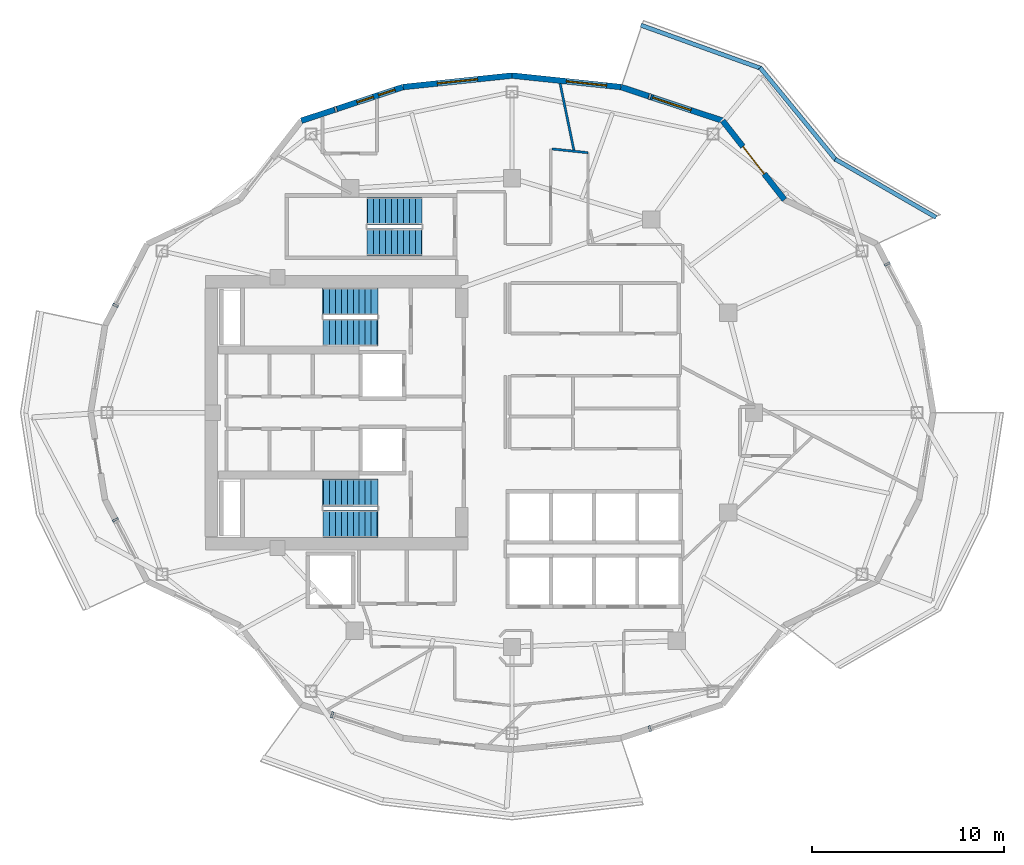
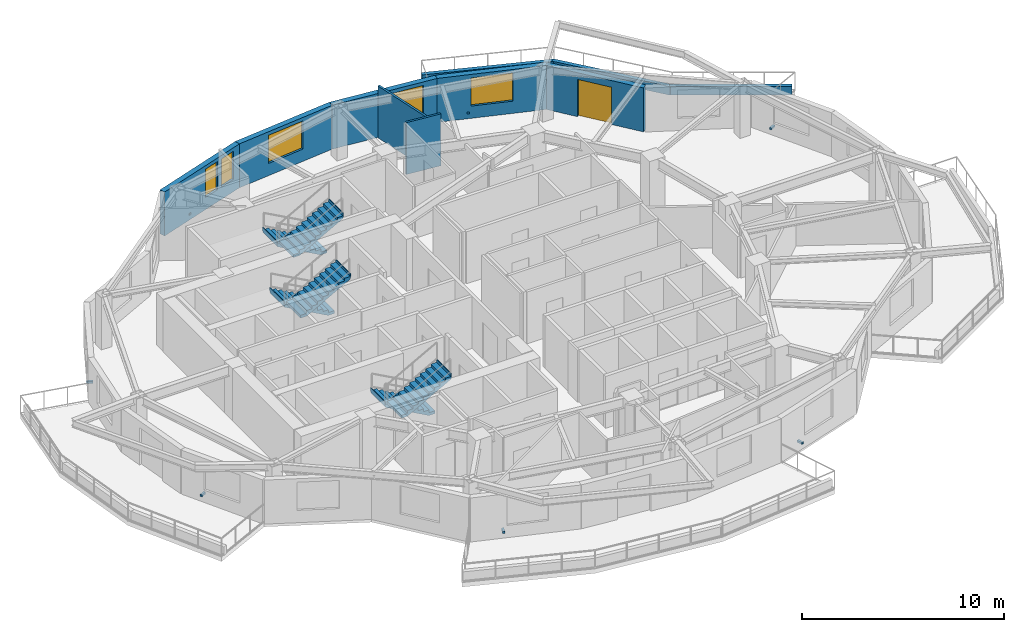
# One storey, part 7 of 11: 10 walls, 7 discrete accessories, 6 stair flights, 5 windows, 1 door, 6 openings, 3 elements without a shape of their own.
"""IFC4 building model written with IfcOpenShell, lengths in metres."""

from ifc_helpers import new_model, si_unit, direction, frame, frame_2d, origin, origin_2d, place, context, subcontext, project, spatial, polyline, rectangle, outline, extrude, material, layer, layer_set, type_object, element, fill, aggregate, save


model = new_model("IFC4")

# Units and contexts
model_context = context("Model", 3, precision=1e-05, world=origin(), true_north=direction((0.0, 1.0)))
body_context = subcontext(model_context, "Body", "Model", "MODEL_VIEW")
ifc_project = project(units=[si_unit("LENGTHUNIT", "METRE"), si_unit("AREAUNIT", "SQUARE_METRE"), si_unit("VOLUMEUNIT", "CUBIC_METRE"), si_unit("PLANEANGLEUNIT", "RADIAN"), si_unit("MASSUNIT", "GRAM", prefix="KILO")], contexts=[model_context])

# Site, building, storey
site_placement = place(None, origin())
site = spatial("IfcSite", under=ifc_project, at=site_placement, CompositionType="ELEMENT")
building_placement = place(site_placement, origin())
building = spatial("IfcBuilding", under=site, at=building_placement, Name="Kolvaren Gate Tower and Convention Centre", CompositionType="ELEMENT")
storey_placement = place(building_placement, frame((0.0, 0.0, 159.699951171875)))
storey = spatial("IfcBuildingStorey", under=building, at=storey_placement, Name="L41", CompositionType="ELEMENT", Elevation=159.699951171875)

# Walls
ifc_material_1 = material(Name="Fire-Rated Acoustic Gypsum Stud Partition", Category="gypsum")
ifc_layer_1 = layer(ifc_material_1, 0.1201171875)
ifc_layer_set_1 = layer_set([ifc_layer_1], Name="Fire-Rated Acoustic Gypsum Stud Partition")
wall_type_1 = type_object("IfcWallType", Name="ARCH-WL-PART-120", PredefinedType="PARTITIONING", material=ifc_layer_set_1)
wall_1_placement = place(storey_placement, frame((32.2119140625, 40.73046875, 0.0), z_axis=(0.0, 0.0, 1.0), x_axis=(0.994511860417, -0.104623895405, 0.0)))
element("IfcWall", 1, at=wall_1_placement, inside=storey, type_object=wall_type_1, Name="Interior Partition WL-L41-INT-047", PredefinedType="PARTITIONING", context=body_context, shape_type="SweptSolid", body=[
    extrude(rectangle(XDim=1.87841796875, YDim=0.1201171875, at=frame_2d((0.939208984375, 0.0))), origin(), (0.0, 0.0, 1.0), 3.130126953125),
])
wall_2_placement = place(storey_placement, frame((32.63134765625, 44.13330078125, 0.0), z_axis=(0.0, 0.0, 1.0), x_axis=(0.202079954577, -0.979369027465, 0.0)))
element("IfcWall", 2, at=wall_2_placement, inside=storey, type_object=wall_type_1, Name="Interior Partition WL-L41-INT-065", PredefinedType="PARTITIONING", context=body_context, shape_type="SweptSolid", body=[
    extrude(rectangle(XDim=3.53271484375, YDim=0.1201171875, at=frame_2d((1.766357421875, 0.0))), origin(), (0.0, 0.0, 1.0), 3.130126953125),
])
ifc_material_2 = material(Name="Piedmont Cream Honed Limestone Cladding", Category="masonry")
ifc_layer_2 = layer(ifc_material_2, 0.219970703125)
ifc_layer_set_2 = layer_set([ifc_layer_2], Name="Piedmont Cream Honed Limestone Cladding")
wall_type_2 = type_object("IfcWallType", Name="ARCH-WL-PLANTER-220", PredefinedType="PARAPET", material=ifc_layer_set_2)
wall_3_placement = place(storey_placement, frame((46.95751953125, 40.1953125, 0.0), z_axis=(0.0, 0.0, 1.0), x_axis=(0.866058128659, -0.499943314571, 0.0)))
element("IfcWall", 3, at=wall_3_placement, inside=storey, type_object=wall_type_2, Name="Vertical-Forest Balcony Stone Planter Kerb PK-L41-1.1", PredefinedType="PARAPET", context=body_context, shape_type="SweptSolid", body=[
    extrude(rectangle(XDim=6.060302734375, YDim=0.219970703125, at=frame_2d((3.0302734375, 0.0))), origin(), (0.0, 0.0, 1.0), 0.52001953125),
])
wall_4_placement = place(storey_placement, frame((43.0419921875, 44.96435546875, 0.0), z_axis=(0.0, 0.0, 1.0), x_axis=(0.634429234628, -0.77298094818, 0.0)))
element("IfcWall", 4, at=wall_4_placement, inside=storey, type_object=wall_type_2, Name="Vertical-Forest Balcony Stone Planter Kerb PK-L41-1.2", PredefinedType="PARAPET", context=body_context, shape_type="SweptSolid", body=[
    extrude(rectangle(XDim=6.244873046875, YDim=0.219970703125, at=frame_2d((3.12255859375, 0.0))), origin(), (0.0, 0.0, 1.0), 0.52001953125),
])
wall_5_placement = place(storey_placement, frame((36.836669921875, 47.173828125, 0.0), z_axis=(0.0, 0.0, 1.0), x_axis=(0.940948576924, -0.338549517184, 0.0)))
element("IfcWall", 5, at=wall_5_placement, inside=storey, type_object=wall_type_2, Name="Vertical-Forest Balcony Stone Planter Kerb PK-L41-1.3", PredefinedType="PARAPET", context=body_context, shape_type="SweptSolid", body=[
    extrude(rectangle(XDim=6.6640625, YDim=0.219970703125, at=frame_2d((3.33203125, 0.0))), origin(), (0.0, 0.0, 1.0), 0.52001953125),
])

# Wall, opening, door
ifc_layer_3 = layer(ifc_material_2, 0.300048828125)
ifc_layer_set_3 = layer_set([ifc_layer_3], Name="Piedmont Cream Honed Limestone Cladding")
wall_type_3 = type_object("IfcWallType", Name="ARCH-WL-STONE-300", PredefinedType="SOLIDWALL", material=ifc_layer_set_3)
wall_6_placement = place(storey_placement, frame((41.09375, 42.19873046875, 0.0), z_axis=(0.0, 0.0, 1.0), x_axis=(0.616429245738, -0.787410302828, 0.0)))
wall_6 = element("IfcWall", 6, at=wall_6_placement, inside=storey, type_object=wall_type_3, Name="Tower L41 Honed Stone Spandrel Wall EW-03", PredefinedType="SOLIDWALL", context=body_context, shape_type="SweptSolid", body=[
    extrude(rectangle(XDim=5.22314453125, YDim=0.300048828125, at=frame_2d((2.611572265625, 0.0))), origin(), (0.0, 0.0, 1.0), 2.653076171875),
])
opening_1_placement = place(wall_6_placement, frame((1.7119140625, 0.0, 0.0)))
opening_1 = element("IfcOpeningElement", 7, at=opening_1_placement, cuts=wall_6, Name="Opening DB-01", PredefinedType="OPENING", context=body_context, shape_type="SweptSolid", body=[
    extrude(rectangle(XDim=1.800048828125, YDim=2.25, at=frame_2d((0.89990234375, 1.125))), frame((0.0, 0.159912109375, 0.0), z_axis=(0.0, -1.0, 0.0), x_axis=(1.0, 0.0, 0.0)), (0.0, 0.0, 1.0), 0.320068359375),
])
ifc_material_3 = material(Name="Anodized Architectural Aluminium Alloy 6063-T6", Category="aluminium")
door_type = type_object("IfcDoorType", Name="ARCH-DR-BALC-1800", OperationType="SLIDING_TO_LEFT", PredefinedType="DOOR", material=ifc_material_3)
door_placement = place(opening_1_placement, origin())
door = element("IfcDoor", 8, at=door_placement, inside=storey, type_object=door_type, Name="Planted Sky Terrace Access Door DB-L41-03", OperationType="SLIDING_TO_LEFT", OverallHeight=2.25, OverallWidth=1.800048828125, PredefinedType="DOOR", context=body_context, shape_type="SweptSolid", body=[
    extrude(rectangle(XDim=1.800048828125, YDim=2.25, at=frame_2d((0.89990234375, 1.125))), frame((0.0, 0.02490234375, 0.0), z_axis=(0.0, -1.0, 0.0), x_axis=(1.0, 0.0, 0.0)), (0.0, 0.0, 1.0), 0.050048828125),
])
fill(opening_1, door)

# Wall, opening, window
wall_7_placement = place(storey_placement, frame((35.802734375, 43.951904296875, 0.0), z_axis=(0.0, 0.0, 1.0), x_axis=(0.949246811547, -0.314532177636, 0.0)))
wall_7 = element("IfcWall", 9, at=wall_7_placement, inside=storey, type_object=wall_type_3, Name="Tower L41 Honed Stone Spandrel Wall EW-04", PredefinedType="SOLIDWALL", context=body_context, shape_type="SweptSolid", body=[
    extrude(rectangle(XDim=5.573974609375, YDim=0.300048828125, at=frame_2d((2.787109375, 0.0))), origin(), (0.0, 0.0, 1.0), 2.653076171875),
])
opening_2_placement = place(wall_7_placement, frame((1.737060546875, 0.0, 0.739990234375)))
opening_2 = element("IfcOpeningElement", 10, at=opening_2_placement, cuts=wall_7, Name="Opening W-02", PredefinedType="OPENING", context=body_context, shape_type="SweptSolid", body=[
    extrude(rectangle(XDim=2.10009765625, YDim=1.699951171875, at=frame_2d((1.050048828125, 0.85009765625))), frame((0.0, 0.159912109375, 0.0), z_axis=(0.0, -1.0, 0.0), x_axis=(1.0, 0.0, 0.0)), (0.0, 0.0, 1.0), 0.320068359375),
])
ifc_material_4 = material(Name="Low-E Triple Insulated Glazing Unit 44 mm", Category="glass")
window_type_1 = type_object("IfcWindowType", Name="ARCH-WN-HTL-2100", PartitioningType="SINGLE_PANEL", PredefinedType="WINDOW", material=ifc_material_4)
window_1_placement = place(opening_2_placement, origin())
window_1 = element("IfcWindow", 11, at=window_1_placement, inside=storey, type_object=window_type_1, Name="Tower L41 Punched Stone Facade Window W-04", OverallHeight=1.699951171875, OverallWidth=2.10009765625, PartitioningType="SINGLE_PANEL", PredefinedType="WINDOW", context=body_context, shape_type="SweptSolid", body=[
    extrude(rectangle(XDim=2.10009765625, YDim=1.699951171875, at=frame_2d((1.050048828125, 0.85009765625))), frame((0.0, 0.030029296875, 0.0), z_axis=(0.0, -1.0, 0.0), x_axis=(1.0, 0.0, 0.0)), (0.0, 0.0, 1.0), 0.06005859375),
])
fill(opening_2, window_1)

wall_8_placement = place(storey_placement, frame((30.125, 44.550048828125, 0.0), z_axis=(0.0, 0.0, 1.0), x_axis=(0.994496545245, -0.104769372887, 0.0)))
wall_8 = element("IfcWall", 12, at=wall_8_placement, inside=storey, type_object=wall_type_3, Name="Tower L41 Honed Stone Spandrel Wall EW-05", PredefinedType="SOLIDWALL", context=body_context, shape_type="SweptSolid", body=[
    extrude(rectangle(XDim=5.709228515625, YDim=0.300048828125, at=frame_2d((2.8544921875, 0.0))), origin(), (0.0, 0.0, 1.0), 2.653076171875),
])
opening_3_placement = place(wall_8_placement, frame((2.85009765625, 0.0, 0.739990234375)))
opening_3 = element("IfcOpeningElement", 13, at=opening_3_placement, cuts=wall_8, Name="Opening W-02", PredefinedType="OPENING", context=body_context, shape_type="SweptSolid", body=[
    extrude(rectangle(XDim=2.10009765625, YDim=1.699951171875, at=frame_2d((1.050048828125, 0.85009765625))), frame((0.0, 0.159912109375, 0.0), z_axis=(0.0, -1.0, 0.0), x_axis=(1.0, 0.0, 0.0)), (0.0, 0.0, 1.0), 0.320068359375),
])
window_2_placement = place(opening_3_placement, origin())
window_2 = element("IfcWindow", 14, at=window_2_placement, inside=storey, type_object=window_type_1, Name="Tower L41 Punched Stone Facade Window W-05", OverallHeight=1.699951171875, OverallWidth=2.10009765625, PartitioningType="SINGLE_PANEL", PredefinedType="WINDOW", context=body_context, shape_type="SweptSolid", body=[
    extrude(rectangle(XDim=2.10009765625, YDim=1.699951171875, at=frame_2d((1.050048828125, 0.85009765625))), frame((0.0, 0.030029296875, 0.0), z_axis=(0.0, -1.0, 0.0), x_axis=(1.0, 0.0, 0.0)), (0.0, 0.0, 1.0), 0.06005859375),
])
fill(opening_3, window_2)

wall_9_placement = place(storey_placement, frame((24.447265625, 43.951904296875, 0.0), z_axis=(0.0, 0.0, 1.0), x_axis=(0.994496545245, 0.104769372887, 0.0)))
wall_9 = element("IfcWall", 15, at=wall_9_placement, inside=storey, type_object=wall_type_3, Name="Tower L41 Honed Stone Spandrel Wall EW-06", PredefinedType="SOLIDWALL", context=body_context, shape_type="SweptSolid", body=[
    extrude(rectangle(XDim=5.709228515625, YDim=0.300048828125, at=frame_2d((2.8544921875, 0.0))), origin(), (0.0, 0.0, 1.0), 2.653076171875),
])
opening_4_placement = place(wall_9_placement, frame((1.804931640625, 0.0, 0.739990234375)))
opening_4 = element("IfcOpeningElement", 16, at=opening_4_placement, cuts=wall_9, Name="Opening W-02", PredefinedType="OPENING", context=body_context, shape_type="SweptSolid", body=[
    extrude(rectangle(XDim=2.10009765625, YDim=1.699951171875, at=frame_2d((1.050048828125, 0.85009765625))), frame((0.0, 0.159912109375, 0.0), z_axis=(0.0, -1.0, 0.0), x_axis=(1.0, 0.0, 0.0)), (0.0, 0.0, 1.0), 0.320068359375),
])
window_3_placement = place(opening_4_placement, origin())
window_3 = element("IfcWindow", 17, at=window_3_placement, inside=storey, type_object=window_type_1, Name="Tower L41 Punched Stone Facade Window W-06", OverallHeight=1.699951171875, OverallWidth=2.10009765625, PartitioningType="SINGLE_PANEL", PredefinedType="WINDOW", context=body_context, shape_type="SweptSolid", body=[
    extrude(rectangle(XDim=2.10009765625, YDim=1.699951171875, at=frame_2d((1.050048828125, 0.85009765625))), frame((0.0, 0.030029296875, 0.0), z_axis=(0.0, -1.0, 0.0), x_axis=(1.0, 0.0, 0.0)), (0.0, 0.0, 1.0), 0.06005859375),
])
fill(opening_4, window_3)

# Wall, openings, windows
wall_10_placement = place(storey_placement, frame((19.15625, 42.19873046875, 0.0), z_axis=(0.0, 0.0, 1.0), x_axis=(0.949246811547, 0.314532177636, 0.0)))
wall_10 = element("IfcWall", 18, at=wall_10_placement, inside=storey, type_object=wall_type_3, Name="Tower L41 Honed Stone Spandrel Wall EW-07", PredefinedType="SOLIDWALL", context=body_context, shape_type="SweptSolid", body=[
    extrude(rectangle(XDim=5.573974609375, YDim=0.300048828125, at=frame_2d((2.787109375, 0.0))), origin(), (0.0, 0.0, 1.0), 2.653076171875),
])
opening_5_placement = place(wall_10_placement, frame((3.05322265625, 0.0, 0.739990234375)))
opening_5 = element("IfcOpeningElement", 19, at=opening_5_placement, cuts=wall_10, Name="Opening W-06", PredefinedType="OPENING", context=body_context, shape_type="SweptSolid", body=[
    extrude(rectangle(XDim=0.89990234375, YDim=1.699951171875, at=frame_2d((0.449951171875, 0.85009765625))), frame((0.0, 0.159912109375, 0.0), z_axis=(0.0, -1.0, 0.0), x_axis=(1.0, 0.0, 0.0)), (0.0, 0.0, 1.0), 0.320068359375),
])
opening_6_placement = place(wall_10_placement, frame((4.234130859375, 0.0, 0.739990234375)))
opening_6 = element("IfcOpeningElement", 20, at=opening_6_placement, cuts=wall_10, Name="Opening W-06", PredefinedType="OPENING", context=body_context, shape_type="SweptSolid", body=[
    extrude(rectangle(XDim=0.89990234375, YDim=1.699951171875, at=frame_2d((0.449951171875, 0.85009765625))), frame((0.0, 0.159912109375, 0.0), z_axis=(0.0, -1.0, 0.0), x_axis=(1.0, 0.0, 0.0)), (0.0, 0.0, 1.0), 0.320068359375),
])
window_type_2 = type_object("IfcWindowType", Name="ARCH-WN-PUNCH-900", PartitioningType="SINGLE_PANEL", PredefinedType="WINDOW", material=ifc_material_4)
window_4_placement = place(opening_5_placement, origin())
window_4 = element("IfcWindow", 21, at=window_4_placement, inside=storey, type_object=window_type_2, Name="Tower L41 Punched Stone Facade Window W-07", OverallHeight=1.699951171875, OverallWidth=0.89990234375, PartitioningType="SINGLE_PANEL", PredefinedType="WINDOW", context=body_context, shape_type="SweptSolid", body=[
    extrude(rectangle(XDim=0.89990234375, YDim=1.699951171875, at=frame_2d((0.449951171875, 0.85009765625))), frame((0.0, 0.030029296875, 0.0), z_axis=(0.0, -1.0, 0.0), x_axis=(1.0, 0.0, 0.0)), (0.0, 0.0, 1.0), 0.06005859375),
])
fill(opening_5, window_4)
window_5_placement = place(opening_6_placement, origin())
window_5 = element("IfcWindow", 22, at=window_5_placement, inside=storey, type_object=window_type_2, Name="Tower L41 Punched Stone Facade Window W-07B", OverallHeight=1.699951171875, OverallWidth=0.89990234375, PartitioningType="SINGLE_PANEL", PredefinedType="WINDOW", context=body_context, shape_type="SweptSolid", body=[
    extrude(rectangle(XDim=0.89990234375, YDim=1.699951171875, at=frame_2d((0.449951171875, 0.85009765625))), frame((0.0, 0.030029296875, 0.0), z_axis=(0.0, -1.0, 0.0), x_axis=(1.0, 0.0, 0.0)), (0.0, 0.0, 1.0), 0.06005859375),
])
fill(opening_6, window_5)

# Stair, stair flights
ifc_material_5 = material(Name="Concrete C50/60", Category="concrete")
stair_type = type_object("IfcStairType", Name="STR-STAIR-CORE", PredefinedType="HALF_TURN_STAIR", material=ifc_material_5)
stair_1_placement = place(storey_placement, origin())
stair_1 = element("IfcStair", 23, at=stair_1_placement, inside=storey, type_object=stair_type, Name="L41 Tower North Exit Stair ST-T1", PredefinedType="HALF_TURN_STAIR")
stair_flight_type = type_object("IfcStairFlightType", Name="STR-SFL-1420", PredefinedType="STRAIGHT", material=ifc_material_5)
stair_flight_1_placement = place(storey_placement, frame((23.10009765625, 32.7900390625, 0.0), z_axis=(0.0, 0.0, 1.0), x_axis=(-1.0, 0.0, 0.0)))
stair_flight_1 = element("IfcStairFlight", 24, at=stair_flight_1_placement, type_object=stair_flight_type, Name="ST-T1 flight 1", NumberOfRisers=10, NumberOfTreads=9, PredefinedType="STRAIGHT", RiserHeight=0.17, TreadLength=0.31, context=body_context, shape_type="SweptSolid", body=[
    extrude(outline(polyline([(-0.034912109375, 0.0), (-0.034912109375, 0.169921875), (0.31005859375, 0.169921875), (0.31005859375, 0.340087890625), (0.6201171875, 0.340087890625), (0.6201171875, 0.510009765625), (0.929931640625, 0.510009765625), (0.929931640625, 0.679931640625), (1.239990234375, 0.679931640625), (1.239990234375, 0.85009765625), (1.550048828125, 0.85009765625), (1.550048828125, 1.02001953125), (1.860107421875, 1.02001953125), (1.860107421875, 1.18994140625), (2.169921875, 1.18994140625), (2.169921875, 1.360107421875), (2.47998046875, 1.360107421875), (2.47998046875, 1.530029296875), (2.7900390625, 1.530029296875), (2.7900390625, 1.699951171875), (2.8349609375, 1.699951171875), (2.8349609375, 1.5400390625), (2.7900390625, 1.359130859375), (0.311767578125, 0.0), (-0.034912109375, 0.0)])), frame((0.0, 0.7099609375, 0.0), z_axis=(0.0, -1.0, 0.0), x_axis=(1.0, 0.0, 0.0)), (0.0, 0.0, 1.0), 1.419921875),
])
stair_flight_2_placement = place(storey_placement, frame((20.31005859375, 31.169921875, 1.699951171875), z_axis=(0.0, 0.0, 1.0), x_axis=(1.0, 0.0, 0.0)))
stair_flight_2 = element("IfcStairFlight", 25, at=stair_flight_2_placement, type_object=stair_flight_type, Name="ST-T1 flight 2", NumberOfRisers=10, NumberOfTreads=9, PredefinedType="STRAIGHT", RiserHeight=0.17, TreadLength=0.31, context=body_context, shape_type="SweptSolid", body=[
    extrude(outline(polyline([(-0.034912109375, 0.0), (-0.034912109375, 0.169921875), (0.31005859375, 0.169921875), (0.31005859375, 0.340087890625), (0.6201171875, 0.340087890625), (0.6201171875, 0.510009765625), (0.929931640625, 0.510009765625), (0.929931640625, 0.679931640625), (1.239990234375, 0.679931640625), (1.239990234375, 0.85009765625), (1.550048828125, 0.85009765625), (1.550048828125, 1.02001953125), (1.860107421875, 1.02001953125), (1.860107421875, 1.18994140625), (2.169921875, 1.18994140625), (2.169921875, 1.360107421875), (2.47998046875, 1.360107421875), (2.47998046875, 1.530029296875), (2.7900390625, 1.530029296875), (2.7900390625, 1.699951171875), (2.8349609375, 1.699951171875), (2.8349609375, 1.5400390625), (2.7900390625, 1.359130859375), (0.311767578125, 0.0), (-0.034912109375, 0.0)])), frame((0.0, 0.7099609375, 0.0), z_axis=(0.0, -1.0, 0.0), x_axis=(1.0, 0.0, 0.0)), (0.0, 0.0, 1.0), 1.419921875),
])
aggregate(stair_1, [stair_flight_1, stair_flight_2])

stair_2_placement = place(storey_placement, origin())
stair_2 = element("IfcStair", 26, at=stair_2_placement, inside=storey, type_object=stair_type, Name="L41 Tower South Exit Stair ST-T2", PredefinedType="HALF_TURN_STAIR")
stair_flight_3_placement = place(storey_placement, frame((23.10009765625, 22.830078125, 0.0), z_axis=(0.0, 0.0, 1.0), x_axis=(-1.0, 0.0, 0.0)))
stair_flight_3 = element("IfcStairFlight", 27, at=stair_flight_3_placement, type_object=stair_flight_type, Name="ST-T2 flight 1", NumberOfRisers=10, NumberOfTreads=9, PredefinedType="STRAIGHT", RiserHeight=0.17, TreadLength=0.31, context=body_context, shape_type="SweptSolid", body=[
    extrude(outline(polyline([(-0.034912109375, 0.0), (-0.034912109375, 0.169921875), (0.31005859375, 0.169921875), (0.31005859375, 0.340087890625), (0.6201171875, 0.340087890625), (0.6201171875, 0.510009765625), (0.929931640625, 0.510009765625), (0.929931640625, 0.679931640625), (1.239990234375, 0.679931640625), (1.239990234375, 0.85009765625), (1.550048828125, 0.85009765625), (1.550048828125, 1.02001953125), (1.860107421875, 1.02001953125), (1.860107421875, 1.18994140625), (2.169921875, 1.18994140625), (2.169921875, 1.360107421875), (2.47998046875, 1.360107421875), (2.47998046875, 1.530029296875), (2.7900390625, 1.530029296875), (2.7900390625, 1.699951171875), (2.8349609375, 1.699951171875), (2.8349609375, 1.5400390625), (2.7900390625, 1.359130859375), (0.311767578125, 0.0), (-0.034912109375, 0.0)])), frame((0.0, 0.7099609375, 0.0), z_axis=(0.0, -1.0, 0.0), x_axis=(1.0, 0.0, 0.0)), (0.0, 0.0, 1.0), 1.419921875),
])
stair_flight_4_placement = place(storey_placement, frame((20.31005859375, 21.2099609375, 1.699951171875), z_axis=(0.0, 0.0, 1.0), x_axis=(1.0, 0.0, 0.0)))
stair_flight_4 = element("IfcStairFlight", 28, at=stair_flight_4_placement, type_object=stair_flight_type, Name="ST-T2 flight 2", NumberOfRisers=10, NumberOfTreads=9, PredefinedType="STRAIGHT", RiserHeight=0.17, TreadLength=0.31, context=body_context, shape_type="SweptSolid", body=[
    extrude(outline(polyline([(-0.034912109375, 0.0), (-0.034912109375, 0.169921875), (0.31005859375, 0.169921875), (0.31005859375, 0.340087890625), (0.6201171875, 0.340087890625), (0.6201171875, 0.510009765625), (0.929931640625, 0.510009765625), (0.929931640625, 0.679931640625), (1.239990234375, 0.679931640625), (1.239990234375, 0.85009765625), (1.550048828125, 0.85009765625), (1.550048828125, 1.02001953125), (1.860107421875, 1.02001953125), (1.860107421875, 1.18994140625), (2.169921875, 1.18994140625), (2.169921875, 1.360107421875), (2.47998046875, 1.360107421875), (2.47998046875, 1.530029296875), (2.7900390625, 1.530029296875), (2.7900390625, 1.699951171875), (2.8349609375, 1.699951171875), (2.8349609375, 1.5400390625), (2.7900390625, 1.359130859375), (0.311767578125, 0.0), (-0.034912109375, 0.0)])), frame((0.0, 0.7099609375, 0.0), z_axis=(0.0, -1.0, 0.0), x_axis=(1.0, 0.0, 0.0)), (0.0, 0.0, 1.0), 1.419921875),
])
aggregate(stair_2, [stair_flight_3, stair_flight_4])

stair_3_placement = place(storey_placement, origin())
stair_3 = element("IfcStair", 29, at=stair_3_placement, inside=storey, type_object=stair_type, Name="L41 Tower Mid-Zone Exit Stair ST-T3", PredefinedType="HALF_TURN_STAIR")
stair_flight_5_placement = place(storey_placement, frame((25.39990234375, 37.489990234375, 0.0), z_axis=(0.0, 0.0, 1.0), x_axis=(-1.0, 0.0, 0.0)))
stair_flight_5 = element("IfcStairFlight", 30, at=stair_flight_5_placement, type_object=stair_flight_type, Name="ST-T3 flight 1", NumberOfRisers=10, NumberOfTreads=9, PredefinedType="STRAIGHT", RiserHeight=0.17, TreadLength=0.31, context=body_context, shape_type="SweptSolid", body=[
    extrude(outline(polyline([(-0.034912109375, 0.0), (-0.034912109375, 0.169921875), (0.31005859375, 0.169921875), (0.31005859375, 0.340087890625), (0.6201171875, 0.340087890625), (0.6201171875, 0.510009765625), (0.929931640625, 0.510009765625), (0.929931640625, 0.679931640625), (1.239990234375, 0.679931640625), (1.239990234375, 0.85009765625), (1.550048828125, 0.85009765625), (1.550048828125, 1.02001953125), (1.860107421875, 1.02001953125), (1.860107421875, 1.18994140625), (2.169921875, 1.18994140625), (2.169921875, 1.360107421875), (2.47998046875, 1.360107421875), (2.47998046875, 1.530029296875), (2.7900390625, 1.530029296875), (2.7900390625, 1.699951171875), (2.8349609375, 1.699951171875), (2.8349609375, 1.5400390625), (2.7900390625, 1.359130859375), (0.311767578125, 0.0), (-0.034912109375, 0.0)])), frame((0.0, 0.7099609375, 0.0), z_axis=(0.0, -1.0, 0.0), x_axis=(1.0, 0.0, 0.0)), (0.0, 0.0, 1.0), 1.419921875),
])
stair_flight_6_placement = place(storey_placement, frame((22.610107421875, 35.8701171875, 1.699951171875), z_axis=(0.0, 0.0, 1.0), x_axis=(1.0, 0.0, 0.0)))
stair_flight_6 = element("IfcStairFlight", 31, at=stair_flight_6_placement, type_object=stair_flight_type, Name="ST-T3 flight 2", NumberOfRisers=10, NumberOfTreads=9, PredefinedType="STRAIGHT", RiserHeight=0.17, TreadLength=0.31, context=body_context, shape_type="SweptSolid", body=[
    extrude(outline(polyline([(-0.034912109375, 0.0), (-0.034912109375, 0.169921875), (0.31005859375, 0.169921875), (0.31005859375, 0.340087890625), (0.6201171875, 0.340087890625), (0.6201171875, 0.510009765625), (0.929931640625, 0.510009765625), (0.929931640625, 0.679931640625), (1.239990234375, 0.679931640625), (1.239990234375, 0.85009765625), (1.550048828125, 0.85009765625), (1.550048828125, 1.02001953125), (1.860107421875, 1.02001953125), (1.860107421875, 1.18994140625), (2.169921875, 1.18994140625), (2.169921875, 1.360107421875), (2.47998046875, 1.360107421875), (2.47998046875, 1.530029296875), (2.7900390625, 1.530029296875), (2.7900390625, 1.699951171875), (2.8349609375, 1.699951171875), (2.8349609375, 1.5400390625), (2.7900390625, 1.359130859375), (0.311767578125, 0.0), (-0.034912109375, 0.0)])), frame((0.0, 0.7099609375, 0.0), z_axis=(0.0, -1.0, 0.0), x_axis=(1.0, 0.0, 0.0)), (0.0, 0.0, 1.0), 1.419921875),
])
aggregate(stair_3, [stair_flight_5, stair_flight_6])

# Discrete accessories
discrete_accessory_type = type_object("IfcDiscreteAccessoryType", Name="ARCH-ACC-BRACKET-120", PredefinedType="BRACKET", material=ifc_material_3)
for number, where, z_axis, x_axis, name in (
    (32, (49.66259765625, 34.7333984375, 0.2900390625), (0.0, 0.0, 1.0), (0.459798409467, -0.888023323259, 0.0), "Ceramic Fin Wall Anchor Bracket FBK-L41-01"),
    (33, (37.2998046875, 43.455810546875, 0.2900390625), (0.0, 0.0, 1.0), (0.949239532616, -0.314554144335, 0.0), "Ceramic Fin Wall Anchor Bracket FBK-L41-04"),
    (34, (20.950439453125, 42.793212890625, 0.2900390625), (0.0, 0.0, 1.0), (0.949237885602, 0.314559114537, 0.0), "Ceramic Fin Wall Anchor Bracket FBK-L41-07"),
    (35, (9.474365234375, 32.583984375, 0.2900390625), (0.0, 0.0, 1.0), (0.459798409467, 0.888023323259, 0.0), "Ceramic Fin Wall Anchor Bracket FBK-L41-10"),
    (36, (9.474365234375, 21.416015625, 0.2900390625), (0.0, 0.0, 1.0), (0.459798409467, -0.888023323259, 0.0), "Ceramic Fin Wall Anchor Bracket FBK-L41-13"),
    (37, (20.760498046875, 11.269775390625, 0.2900390625), (0.0, 0.0, 1.0), (0.949239532616, -0.314554144335, 0.0), "Ceramic Fin Wall Anchor Bracket FBK-L41-16"),
    (38, (37.2998046875, 10.544189453125, 0.2900390625), (0.0, 0.0, 1.0), (0.949239532616, 0.314554144335, 0.0), "Ceramic Fin Wall Anchor Bracket FBK-L41-19"),
):
    element("IfcDiscreteAccessory", number, at=place(storey_placement, frame(where, z_axis=z_axis, x_axis=x_axis)), inside=storey, type_object=discrete_accessory_type, Name=name, PredefinedType="BRACKET", context=body_context, shape_type="SweptSolid", body=[
        extrude(rectangle(XDim=0.1201171875, YDim=0.320068359375, at=origin_2d()), origin(), (0.0, 0.0, 1.0), 0.1201171875),
    ])

save(model, "model.ifc")
